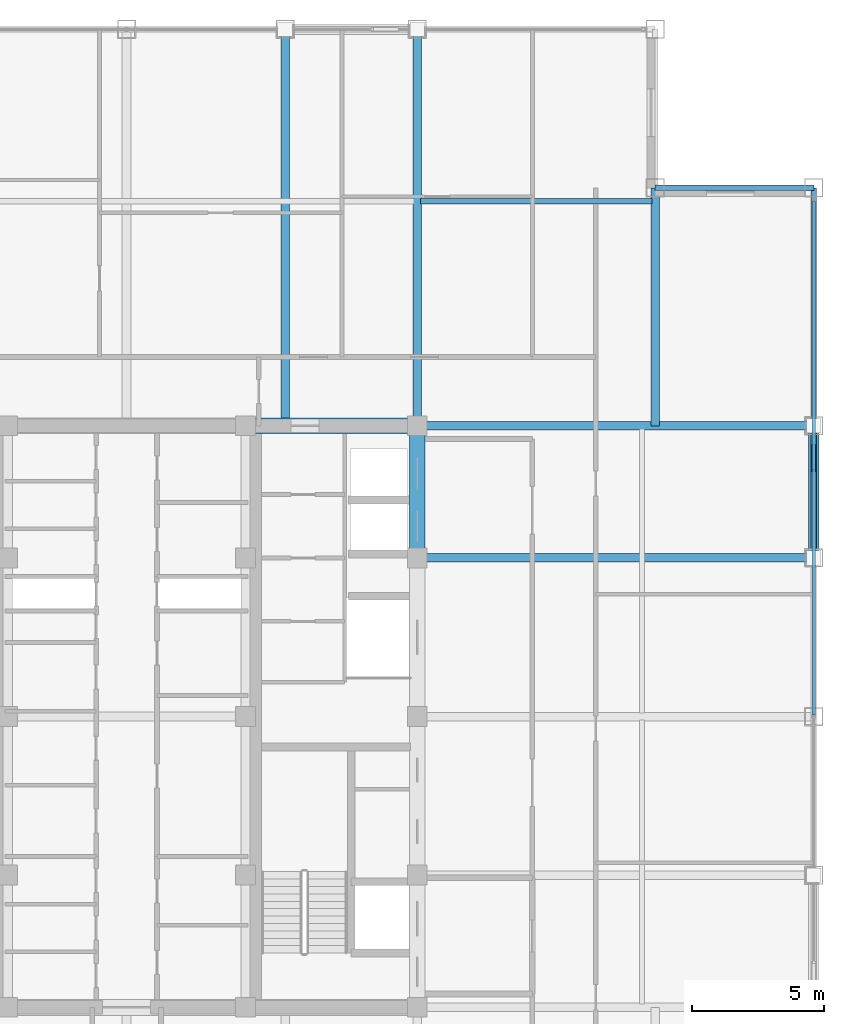
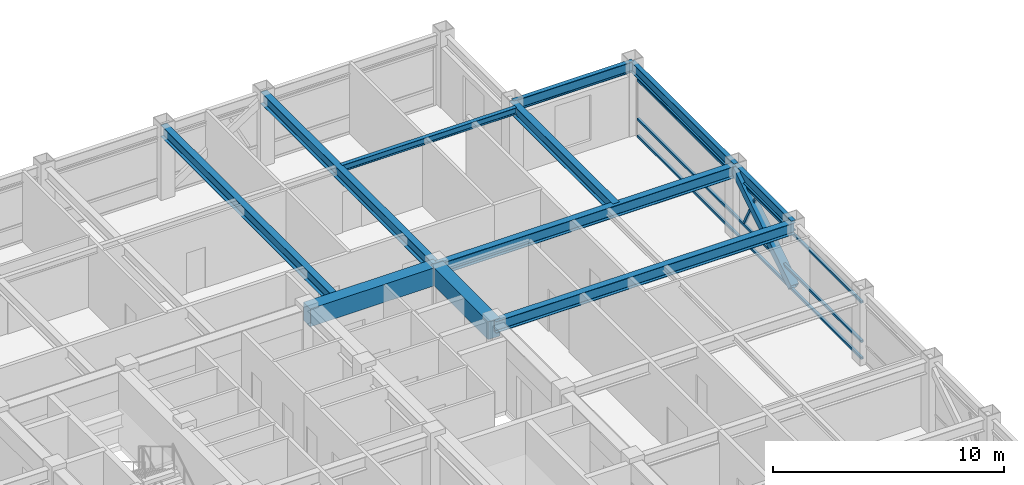
# One storey, part 19 of 29: 11 beams, 5 members, 1 element without a shape of its own.
"""IFC4 building model written with IfcOpenShell, lengths in metres."""

from ifc_helpers import new_model, si_unit, direction, frame, origin, origin_2d, place, context, subcontext, project, spatial, rectangle, hollow_rectangle, i_section, extrude, source, transform, mapped, material, material_profile, profile_set, type_object, element, aggregate, save


model = new_model("IFC4")

# Units and contexts
model_context = context("Model", 3, precision=1e-05, world=origin(), true_north=direction((0.0, 1.0)))
body_context = subcontext(model_context, "Body", "Model", "MODEL_VIEW")
ifc_project = project(units=[si_unit("LENGTHUNIT", "METRE"), si_unit("AREAUNIT", "SQUARE_METRE"), si_unit("VOLUMEUNIT", "CUBIC_METRE"), si_unit("PLANEANGLEUNIT", "RADIAN"), si_unit("MASSUNIT", "GRAM", prefix="KILO")], contexts=[model_context])

# Site, building, storey
site_placement = place(None, origin())
site = spatial("IfcSite", under=ifc_project, at=site_placement, CompositionType="ELEMENT")
building_placement = place(site_placement, origin())
building = spatial("IfcBuilding", under=site, at=building_placement, Name="Khorayat Bourse Tower", CompositionType="ELEMENT")
storey_placement = place(building_placement, frame((0.0, 0.0, 358.300048828125)))
storey = spatial("IfcBuildingStorey", under=building, at=storey_placement, Name="L85", CompositionType="ELEMENT", Elevation=358.300048828125)

# Beams
ifc_material_1 = material(Name="Concrete C60/75", Category="concrete")
ifc_material_profile_1 = material_profile(ifc_material_1, rectangle(XDim=0.60009765625, YDim=0.949951171875, at=origin_2d()), Name="RC 600x950")
ifc_profile_set_1 = profile_set([ifc_material_profile_1], Name="Concrete C60/75")
beam_type_1 = type_object("IfcBeamType", Name="BM-COUP-950", PredefinedType="BEAM", material=ifc_profile_set_1)
shared_shape_1 = source(origin(), body_context, "Body", "SweptSolid", [
    extrude(rectangle(XDim=0.60009765625, YDim=0.949951171875, at=origin_2d()), origin(), (0.0, 0.0, 1.0), 5.0),
])
beam_1_placement = place(storey_placement, frame((11.0, 6.0, 3.264892578125), z_axis=(0.0, 1.0, 0.0), x_axis=(-1.0, 0.0, 0.0)))
element("IfcBeam", 1, at=beam_1_placement, inside=storey, type_object=beam_type_1, Name="L85 BM-COUP-950 BM-L85-CRX-16", PredefinedType="BEAM", context=body_context, shape_type="MappedRepresentation", body=[
    mapped(shared_shape_1, transform((0.0, 0.0, 0.0), scale=1.0)),
])
shared_shape_2 = source(origin(), body_context, "Body", "SweptSolid", [
    extrude(rectangle(XDim=0.60009765625, YDim=0.949951171875, at=origin_2d()), origin(), (0.0, 0.0, 1.0), 6.5),
])
beam_2_placement = place(storey_placement, frame((4.5, 11.0, 3.264892578125), z_axis=(1.0, 0.0, 0.0), x_axis=(0.0, 1.0, 0.0)))
element("IfcBeam", 2, at=beam_2_placement, inside=storey, type_object=beam_type_1, Name="L85 BM-COUP-950 BM-L85-CRY-22", PredefinedType="BEAM", context=body_context, shape_type="MappedRepresentation", body=[
    mapped(shared_shape_2, transform((0.0, 0.0, 0.0), scale=1.0)),
])
ifc_material_2 = material(Name="Steel ASTM A992 Grade 50", Category="steel")
ifc_material_profile_2 = material_profile(ifc_material_2, i_section(OverallWidth=0.214111328125, OverallDepth=0.549072265625, WebThickness=0.0146484375, FlangeThickness=0.023681640625, FilletRadius=0.013916015625, at=origin_2d()), Name="W530X138")
ifc_profile_set_2 = profile_set([ifc_material_profile_2], Name="Steel ASTM A992 Grade 50")
beam_type_2 = type_object("IfcBeamType", Name="BM-SPAN-530", PredefinedType="SPANDREL", material=ifc_profile_set_2)
shared_shape_3 = source(origin(), body_context, "Body", "SweptSolid", [
    extrude(i_section(OverallWidth=0.214111328125, OverallDepth=0.549072265625, WebThickness=0.0146484375, FlangeThickness=0.023681640625, FilletRadius=0.013916015625, at=origin_2d()), origin(), (0.0, 0.0, 1.0), 9.0),
])
beam_3_placement = place(storey_placement, frame((26.0, 11.0, 3.46533203125), z_axis=(0.0, 1.0, 0.0), x_axis=(-1.0, 0.0, 0.0)))
element("IfcBeam", 3, at=beam_3_placement, inside=storey, type_object=beam_type_2, Name="L85 BM-SPAN-530 BM-L85-SPN-037", PredefinedType="SPANDREL", context=body_context, shape_type="MappedRepresentation", body=[
    mapped(shared_shape_3, transform((0.0, 0.0, 0.0), scale=1.0)),
])
shared_shape_4 = source(origin(), body_context, "Body", "SweptSolid", [
    extrude(i_section(OverallWidth=0.214111328125, OverallDepth=0.549072265625, WebThickness=0.0146484375, FlangeThickness=0.023681640625, FilletRadius=0.013916015625, at=origin_2d()), origin(), (0.0, 0.0, 1.0), 5.0),
])
beam_4_placement = place(storey_placement, frame((26.0, 6.0, 3.46533203125), z_axis=(0.0, 1.0, 0.0), x_axis=(-1.0, 0.0, 0.0)))
element("IfcBeam", 4, at=beam_4_placement, inside=storey, type_object=beam_type_2, Name="L85 BM-SPAN-530 BM-L85-SPN-036", PredefinedType="SPANDREL", context=body_context, shape_type="MappedRepresentation", body=[
    mapped(shared_shape_4, transform((0.0, 0.0, 0.0), scale=1.0)),
])
shared_shape_5 = source(origin(), body_context, "Body", "SweptSolid", [
    extrude(i_section(OverallWidth=0.214111328125, OverallDepth=0.549072265625, WebThickness=0.0146484375, FlangeThickness=0.023681640625, FilletRadius=0.013916015625, at=origin_2d()), origin(), (0.0, 0.0, 1.0), 6.0),
])
beam_5_placement = place(storey_placement, frame((20.0, 20.0, 3.46533203125), z_axis=(1.0, 0.0, 0.0), x_axis=(0.0, 1.0, 0.0)))
element("IfcBeam", 5, at=beam_5_placement, inside=storey, type_object=beam_type_2, Name="L85 BM-SPAN-530 BM-L85-SPN-038", PredefinedType="SPANDREL", context=body_context, shape_type="MappedRepresentation", body=[
    mapped(shared_shape_5, transform((0.0, 0.0, 0.0), scale=1.0)),
])
ifc_material_profile_3 = material_profile(ifc_material_2, i_section(OverallWidth=0.324951171875, OverallDepth=0.615966796875, WebThickness=0.013916015625, FlangeThickness=0.021484375, FilletRadius=0.01611328125, at=origin_2d()), Name="W610X174")
ifc_profile_set_3 = profile_set([ifc_material_profile_3], Name="Steel ASTM A992 Grade 50")
beam_type_3 = type_object("IfcBeamType", Name="BM-GIRD-610", PredefinedType="BEAM", material=ifc_profile_set_3)
shared_shape_6 = source(origin(), body_context, "Body", "SweptSolid", [
    extrude(i_section(OverallWidth=0.324951171875, OverallDepth=0.615966796875, WebThickness=0.013916015625, FlangeThickness=0.021484375, FilletRadius=0.01611328125, at=origin_2d()), origin(), (0.0, 0.0, 1.0), 15.0),
])
for number, where, z_axis, x_axis, name in (
    (6, (6.0, 11.0, 3.431884765625), (0.0, 1.0, 0.0), (-1.0, 0.0, 0.0), "L85 BM-GIRD-610 BM-L85-RADY-062"),
    (7, (11.0, 11.0, 3.431884765625), (0.0, 1.0, 0.0), (-1.0, 0.0, 0.0), "L85 BM-GIRD-610 BM-L85-RADY-064"),
    (8, (11.0, 6.0, 3.431884765625), (1.0, 0.0, 0.0), (0.0, 1.0, 0.0), "L85 BM-GIRD-610 BM-L85-RADX-072"),
    (9, (11.0, 11.0, 3.431884765625), (1.0, 0.0, 0.0), (0.0, 1.0, 0.0), "L85 BM-GIRD-610 BM-L85-RADX-074"),
):
    element("IfcBeam", number, at=place(storey_placement, frame(where, z_axis=z_axis, x_axis=x_axis)), inside=storey, type_object=beam_type_3, Name=name, PredefinedType="BEAM", context=body_context, shape_type="MappedRepresentation", body=[
        mapped(shared_shape_6, transform((0.0, 0.0, 0.0), scale=1.0)),
    ])
shared_shape_7 = source(origin(), body_context, "Body", "SweptSolid", [
    extrude(i_section(OverallWidth=0.324951171875, OverallDepth=0.615966796875, WebThickness=0.013916015625, FlangeThickness=0.021484375, FilletRadius=0.01611328125, at=origin_2d()), origin(), (0.0, 0.0, 1.0), 9.0),
])
beam_6_placement = place(storey_placement, frame((20.0, 11.0, 3.431884765625), z_axis=(0.0, 1.0, 0.0), x_axis=(-1.0, 0.0, 0.0)))
element("IfcBeam", 10, at=beam_6_placement, inside=storey, type_object=beam_type_3, Name="L85 BM-GIRD-610 BM-L85-CNRY-079", PredefinedType="BEAM", context=body_context, shape_type="MappedRepresentation", body=[
    mapped(shared_shape_7, transform((0.0, 0.0, 0.0), scale=1.0)),
])
ifc_material_profile_4 = material_profile(ifc_material_2, i_section(OverallWidth=0.202880859375, OverallDepth=0.346923828125, WebThickness=0.0078125, FlangeThickness=0.013427734375, FilletRadius=0.010009765625, at=origin_2d()), Name="W360X64")
ifc_profile_set_4 = profile_set([ifc_material_profile_4], Name="Steel ASTM A992 Grade 50")
beam_type_4 = type_object("IfcBeamType", Name="BM-JOIST-360", PredefinedType="JOIST", material=ifc_profile_set_4)
shared_shape_8 = source(origin(), body_context, "Body", "SweptSolid", [
    extrude(i_section(OverallWidth=0.202880859375, OverallDepth=0.346923828125, WebThickness=0.0078125, FlangeThickness=0.013427734375, FilletRadius=0.010009765625, at=origin_2d()), origin(), (0.0, 0.0, 1.0), 8.740234375),
])
beam_7_placement = place(storey_placement, frame((11.1298828125, 19.5, 3.56640625), z_axis=(1.0, 0.0, 0.0), x_axis=(0.0, 1.0, 0.0)))
element("IfcBeam", 11, at=beam_7_placement, inside=storey, type_object=beam_type_4, Name="L85 BM-JOIST-360 BM-L85-JSTX-085", PredefinedType="JOIST", context=body_context, shape_type="MappedRepresentation", body=[
    mapped(shared_shape_8, transform((0.0, 0.0, 0.0), scale=1.0)),
])

# Member
ifc_material_3 = material(Name="Steel EN 10025-4 S460M", Category="steel")
ifc_material_profile_5 = material_profile(ifc_material_3, hollow_rectangle(XDim=0.39990234375, YDim=0.39990234375, WallThickness=0.02197265625, at=origin_2d()), Name="HSS 400x400x22")
ifc_profile_set_5 = profile_set([ifc_material_profile_5], Name="Steel EN 10025-4 S460M")
member_type_1 = type_object("IfcMemberType", Name="MBR-TUBE-400", PredefinedType="BRACE", material=ifc_profile_set_5)
shared_shape_9 = source(origin(), body_context, "Body", "SweptSolid", [
    extrude(hollow_rectangle(XDim=0.39990234375, YDim=0.39990234375, WallThickness=0.02197265625, at=origin_2d()), origin(), (0.0, 0.0, 1.0), 5.9580078125),
])
member_1_placement = place(storey_placement, frame((26.0, 6.0, 0.25), z_axis=(0.0, 0.839210474455, 0.543806748364), x_axis=(-1.0, 0.0, 0.0)))
element("IfcMember", 12, at=member_1_placement, inside=storey, type_object=member_type_1, Name="L85 Perimeter Tube Brace 08", PredefinedType="BRACE", context=body_context, shape_type="MappedRepresentation", body=[
    mapped(shared_shape_9, transform((0.0, 0.0, 0.0), scale=1.0)),
])

# Curtain wall, members
ifc_material_4 = material(Name="Aluminium EN AW-6063 T6", Category="aluminium")
curtain_wall_type = type_object("IfcCurtainWallType", Name="CW-SYS-04", PredefinedType="NOTDEFINED", material=ifc_material_4)
curtain_wall_placement = place(storey_placement, origin())
curtain_wall = element("IfcCurtainWall", 13, at=curtain_wall_placement, inside=storey, type_object=curtain_wall_type, Name="L85 Curtain Wall CW-L85-E1", PredefinedType="NOTDEFINED")
ifc_material_profile_6 = material_profile(ifc_material_4, hollow_rectangle(XDim=0.1201171875, YDim=0.1201171875, WallThickness=0.0048828125, at=origin_2d()), Name="ALU 120x120x5")
ifc_profile_set_6 = profile_set([ifc_material_profile_6], Name="Aluminium EN AW-6063 T6")
member_type_2 = type_object("IfcMemberType", Name="CWM-DIAG-120", PredefinedType="MULLION", material=ifc_profile_set_6)
shared_shape_10 = source(origin(), body_context, "Body", "SweptSolid", [
    extrude(hollow_rectangle(XDim=0.1201171875, YDim=0.1201171875, WallThickness=0.0048828125, at=origin_2d()), origin(), (0.0, 0.0, 1.0), 2.0341796875),
])
member_2_placement = place(storey_placement, frame((26.0, 10.24365234375, 1.08984375), z_axis=(0.0, -0.465696964104, 0.884944256789), x_axis=(1.0, 0.0, 0.0)))
member_2 = element("IfcMember", 14, at=member_2_placement, type_object=member_type_2, Name="CW-L85-E1 Faceted Diagonal Mullion 2", PredefinedType="MULLION", context=body_context, shape_type="MappedRepresentation", body=[
    mapped(shared_shape_10, transform((0.0, 0.0, 0.0), scale=1.0)),
])
ifc_material_profile_7 = material_profile(ifc_material_4, hollow_rectangle(XDim=0.1201171875, YDim=0.1201171875, WallThickness=0.0048828125, at=origin_2d()), Name="ALU 120x120x5")
ifc_profile_set_7 = profile_set([ifc_material_profile_7], Name="Aluminium EN AW-6063 T6")
member_type_3 = type_object("IfcMemberType", Name="CWT-HORZ-120", PredefinedType="USERDEFINED", material=ifc_profile_set_7)
shared_shape_11 = source(origin(), body_context, "Body", "SweptSolid", [
    extrude(hollow_rectangle(XDim=0.1201171875, YDim=0.1201171875, WallThickness=0.0048828125, at=origin_2d()), origin(), (0.0, 0.0, 1.0), 19.419921875),
])
member_3_placement = place(storey_placement, frame((26.0, 0.06005859375, 0.06005859375), z_axis=(0.0, 1.0, 0.0), x_axis=(-1.0, 0.0, 0.0)))
member_3 = element("IfcMember", 15, at=member_3_placement, type_object=member_type_3, Name="CW-L85-E1 Horizontal Transom 2-1", ObjectType="TRANSOM", PredefinedType="USERDEFINED", context=body_context, shape_type="MappedRepresentation", body=[
    mapped(shared_shape_11, transform((0.0, 0.0, 0.0), scale=1.0)),
])
member_4_placement = place(storey_placement, frame((26.0, 0.06005859375, 0.949951171875), z_axis=(0.0, 1.0, 0.0), x_axis=(-1.0, 0.0, 0.0)))
member_4 = element("IfcMember", 16, at=member_4_placement, type_object=member_type_3, Name="CW-L85-E1 Horizontal Transom 2-2", ObjectType="TRANSOM", PredefinedType="USERDEFINED", context=body_context, shape_type="MappedRepresentation", body=[
    mapped(shared_shape_11, transform((0.0, 0.0, 0.0), scale=1.0)),
])
member_5_placement = place(storey_placement, frame((26.0, 0.06005859375, 3.030029296875), z_axis=(0.0, 1.0, 0.0), x_axis=(-1.0, 0.0, 0.0)))
member_5 = element("IfcMember", 17, at=member_5_placement, type_object=member_type_3, Name="CW-L85-E1 Horizontal Transom 2-3", ObjectType="TRANSOM", PredefinedType="USERDEFINED", context=body_context, shape_type="MappedRepresentation", body=[
    mapped(shared_shape_11, transform((0.0, 0.0, 0.0), scale=1.0)),
])
aggregate(curtain_wall, [member_3, member_4, member_5, member_2])

save(model, "model.ifc")
